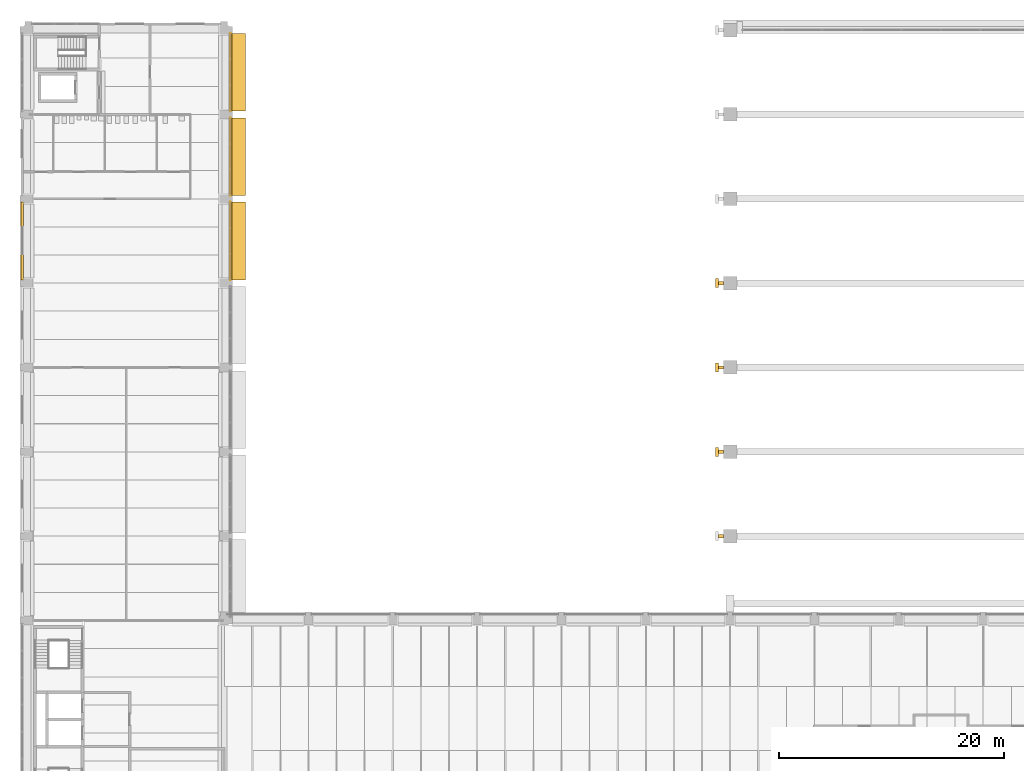
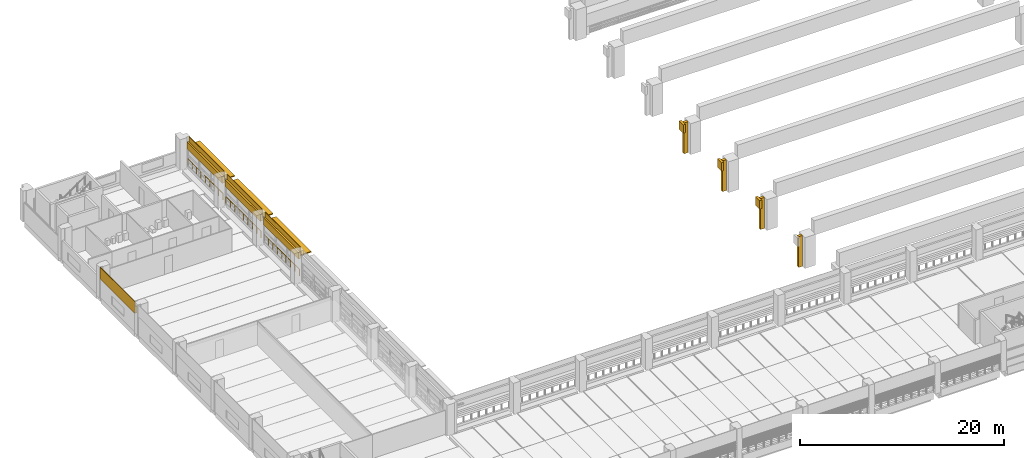
# One storey, part 48 of 61: 11 coverings, 3 railings, 3 shading devices.
"""IFC4 building model written with IfcOpenShell, lengths in metres."""

import ifcopenshell
import ifcopenshell.guid

model = None  # the IFC model being written
_history = None  # IfcOwnerHistory: only IFC2X3 demands one
_inside = {}  # id of a spatial element -> (the spatial element, [elements in it])
_under = {}  # id of a project, library or spatial element -> (it, [spatial elements below it])
_declared = {}  # id of a project -> (the project, [libraries it declares])
_typed = {}  # id of a type object -> (the type object, [elements of that type])
_made_of = {}  # id of a material, layer set ... -> (it, [elements and type objects made of it])


def new_model(schema):
    """Start an empty IFC model of exactly this schema.

    Asked for "IFC4X3", IfcOpenShell would pick the latest addendum, in which some entities
    have other attributes; the version numbers below select the first issue.
    IFC2X3 requires an IfcOwnerHistory on every rooted entity: one is made here for all.
    """
    global model, _history
    if schema == "IFC4X3":
        model = ifcopenshell.file(schema_version=(4, 3, 0, 0))
    else:
        model = ifcopenshell.file(schema=schema)
    _inside.clear()
    _under.clear()
    _declared.clear()
    _typed.clear()
    _made_of.clear()
    _history = None
    if model.schema == "IFC2X3":
        org = make("IfcOrganization", Name="unknown")
        user = make(
            "IfcPersonAndOrganization",
            ThePerson=make("IfcPerson", FamilyName="unknown"),
            TheOrganization=org,
        )
        app = make(
            "IfcApplication",
            ApplicationDeveloper=org,
            Version="unknown",
            ApplicationFullName="unknown",
            ApplicationIdentifier="unknown",
        )
        _history = make(
            "IfcOwnerHistory",
            OwningUser=user,
            OwningApplication=app,
            ChangeAction="ADDED",
            CreationDate=0,
        )
    return model


def make(cls, **values):
    """One entity of the class cls with the attributes given. An attribute that is None is left unset."""
    return model.create_entity(
        cls, **{name: value for name, value in values.items() if value is not None}
    )


def rooted(cls, **values):
    """An entity with a GlobalId (a new one), such as an element, a storey or a relation."""
    return make(cls, GlobalId=ifcopenshell.guid.new(), OwnerHistory=_history, **values)


def si_unit(unit_type, name, prefix=None):
    """IfcSIUnit, for example si_unit("LENGTHUNIT", "METRE", prefix="MILLI")."""
    return make("IfcSIUnit", UnitType=unit_type, Prefix=prefix, Name=name)


def assignment(units):
    """IfcUnitAssignment: the units of a project."""
    return None if units is None else make("IfcUnitAssignment", Units=units)


def point(xyz):
    """IfcCartesianPoint."""
    return None if xyz is None else make("IfcCartesianPoint", Coordinates=xyz)


def direction(xyz):
    """IfcDirection."""
    return None if xyz is None else make("IfcDirection", DirectionRatios=xyz)


def frame(location, z_axis=None, x_axis=None):
    """IfcAxis2Placement3D, a coordinate frame: its origin and axes. An axis left out is left unset."""
    return make(
        "IfcAxis2Placement3D",
        Location=point(location),
        Axis=direction(z_axis),
        RefDirection=direction(x_axis),
    )


def frame_2d(location, x_axis=None):
    """IfcAxis2Placement2D, a coordinate frame in the plane: its origin and x axis."""
    return make(
        "IfcAxis2Placement2D", Location=point(location), RefDirection=direction(x_axis)
    )


def origin():
    """The frame at (0, 0, 0) with its axes left unset."""
    return frame((0.0, 0.0, 0.0))


def origin_2d():
    """The frame at (0, 0) in the plane with its x axis left unset."""
    return frame_2d((0.0, 0.0))


def place(relative_to, where):
    """IfcLocalPlacement: puts the frame where relative to a parent placement (None: the world)."""
    return make(
        "IfcLocalPlacement", PlacementRelTo=relative_to, RelativePlacement=where
    )


def context(
    kind, dimensions, precision=None, world=None, true_north=None, identifier=None
):
    """IfcGeometricRepresentationContext, for example the 3D "Model" context."""
    return make(
        "IfcGeometricRepresentationContext",
        ContextIdentifier=identifier,
        ContextType=kind,
        CoordinateSpaceDimension=dimensions,
        Precision=precision,
        WorldCoordinateSystem=world,
        TrueNorth=true_north,
    )


def subcontext(parent, identifier, kind, view, scale=None):
    """IfcGeometricRepresentationSubContext, for example "Body" below "Model"."""
    return make(
        "IfcGeometricRepresentationSubContext",
        ContextIdentifier=identifier,
        ContextType=kind,
        ParentContext=parent,
        TargetScale=scale,
        TargetView=view,
    )


def project(units=None, contexts=None):
    """IfcProject with its units and contexts."""
    return rooted(
        "IfcProject",
        Name="project",
        RepresentationContexts=contexts,
        UnitsInContext=assignment(units),
    )


def spatial(cls, under=None, at=None, **own):
    """A site, building, storey or space (cls), placed at a placement, below another one or the project."""
    s = rooted(cls, ObjectPlacement=at, **own)
    if under is not None:
        _under.setdefault(under.id(), (under, []))[1].append(s)
    return s


def polyline(points):
    """IfcPolyline through the points."""
    return make("IfcPolyline", Points=[point(p) for p in points])


def profile(cls, at=None, kind="AREA", **sizes):
    """A parametric profile (cls). Its sizes go by their IFC names, for example OverallWidth=200.0."""
    return make(cls, ProfileType=kind, Position=at, **sizes)


def circle(**sizes):
    """IfcCircleProfileDef."""
    return profile("IfcCircleProfileDef", **sizes)


def outline(outer, holes=None, kind="AREA"):
    """IfcArbitraryClosedProfileDef: a profile drawn as a closed curve; with holes, ...WithVoids."""
    if holes is None:
        return make("IfcArbitraryClosedProfileDef", ProfileType=kind, OuterCurve=outer)
    return make(
        "IfcArbitraryProfileDefWithVoids",
        ProfileType=kind,
        OuterCurve=outer,
        InnerCurves=holes,
    )


def extrude(swept, where, along, depth):
    """IfcExtrudedAreaSolid: the profile swept, set in the frame where, extruded along a direction by depth."""
    return make(
        "IfcExtrudedAreaSolid",
        SweptArea=swept,
        Position=where,
        ExtrudedDirection=direction(along),
        Depth=depth,
    )


def shape(context_of_items, identifier, shape_type, items):
    """IfcShapeRepresentation: the items that make up one representation, for example the "Body"."""
    return make(
        "IfcShapeRepresentation",
        ContextOfItems=context_of_items,
        RepresentationIdentifier=identifier,
        RepresentationType=shape_type,
        Items=items,
    )


def material(Name=None, Category=None):
    """IfcMaterial."""
    return make("IfcMaterial", Name=Name, Category=Category)


def layer(
    of_material, thickness, ventilated=None, Name=None, Category=None, Priority=None
):
    """IfcMaterialLayer: one layer of a wall or slab, of a material (None: an air gap)."""
    return make(
        "IfcMaterialLayer",
        Material=of_material,
        LayerThickness=thickness,
        IsVentilated=ventilated,
        Name=Name,
        Category=Category,
        Priority=Priority,
    )


def layer_set(layers, Name=None):
    """IfcMaterialLayerSet."""
    return make("IfcMaterialLayerSet", MaterialLayers=layers, LayerSetName=Name)


def made_of(thing, what):
    """Note that an element or type object is made of a material, layer set ...; save() writes the relation."""
    if what is not None:
        _made_of.setdefault(what.id(), (what, []))[1].append(thing)
    return thing


def type_object(cls, material=None, **own):
    """A type object (cls), such as IfcWallType, which elements share."""
    return made_of(rooted(cls, **own), material)


def element(
    cls,
    number,
    at=None,
    inside=None,
    cuts=None,
    type_object=None,
    material=None,
    context=None,
    identifier="Body",
    shape_type=None,
    held_by="IfcProductDefinitionShape",
    body=None,
    shapes=None,
    **own,
):
    """One element of the class cls, such as IfcWall. Its Tag is "e" and its number.

    at: its placement. inside: the storey or other place that contains it. cuts: it is an
    opening in that element (IfcRelVoidsElement). A single representation is given by context,
    identifier, shape_type and body (its items); several are given by shapes. held_by: the class
    of the entity that holds the representations. save() writes the other relations.
    """
    e = rooted(cls, Tag="e%d" % number, ObjectPlacement=at, **own)
    if body is not None:
        shapes = [shape(context, identifier, shape_type, body)]
    if shapes is not None:
        e.Representation = make(held_by, Representations=shapes)
    if inside is not None:
        _inside.setdefault(inside.id(), (inside, []))[1].append(e)
    if cuts is not None:
        rooted(
            "IfcRelVoidsElement", RelatingBuildingElement=cuts, RelatedOpeningElement=e
        )
    if type_object is not None:
        _typed.setdefault(type_object.id(), (type_object, []))[1].append(e)
    return made_of(e, material)


def aggregate(whole, parts):
    """IfcRelAggregates: a whole, such as a stair, and the parts it consists of."""
    return rooted("IfcRelAggregates", RelatingObject=whole, RelatedObjects=parts)


def save(model, path):
    """Write the relations noted so far, then the file.

    IfcRelAggregates (storeys below a building ...), IfcRelContainedInSpatialStructure (elements
    in a storey), IfcRelDefinesByType, IfcRelAssociatesMaterial and IfcRelDeclares: one each for
    every whole, place, type object, material and project.
    """
    for whole, parts in _under.values():
        aggregate(whole, parts)
    for where, things in _inside.values():
        rooted(
            "IfcRelContainedInSpatialStructure",
            RelatedElements=things,
            RelatingStructure=where,
        )
    for kind, things in _typed.values():
        rooted("IfcRelDefinesByType", RelatedObjects=things, RelatingType=kind)
    for what, things in _made_of.values():
        rooted("IfcRelAssociatesMaterial", RelatedObjects=things, RelatingMaterial=what)
    for by, libraries in _declared.values():
        rooted("IfcRelDeclares", RelatingContext=by, RelatedDefinitions=libraries)
    model.write(path)


model = new_model("IFC4")

# Units and contexts
model_context = context("Model", 3, precision=1e-05, world=origin(), true_north=direction((0.0, 1.0)))
body_context = subcontext(model_context, "Body", "Model", "MODEL_VIEW")
ifc_project = project(units=[si_unit("LENGTHUNIT", "METRE"), si_unit("AREAUNIT", "SQUARE_METRE"), si_unit("VOLUMEUNIT", "CUBIC_METRE"), si_unit("PLANEANGLEUNIT", "RADIAN"), si_unit("MASSUNIT", "GRAM", prefix="KILO")], contexts=[model_context])

# Site, building, storey
site_placement = place(None, origin())
site = spatial("IfcSite", under=ifc_project, at=site_placement, CompositionType="ELEMENT")
building_placement = place(site_placement, origin())
building = spatial("IfcBuilding", under=site, at=building_placement, Name="Cour d'Honneur Mobility Palace", CompositionType="ELEMENT")
storey_placement = place(building_placement, frame((0.0, 0.0, 11.89990234375)))
storey = spatial("IfcBuildingStorey", under=building, at=storey_placement, Name="L03", CompositionType="ELEMENT", Elevation=11.89990234375)

# Railings
ifc_material_1 = material(Name="Painted steel", Category="steel")
railing_type = type_object("IfcRailingType", Name="Balustrade", PredefinedType="BALUSTRADE", material=ifc_material_1)
for number, where, name in (
    (1, (17.949951171875, 92.699951171875, 0.300048828125), "Balustrade BAL-191"),
    (2, (17.949951171875, 100.199951171875, 0.300048828125), "Balustrade BAL-192"),
    (3, (17.949951171875, 107.699951171875, 0.300048828125), "Balustrade BAL-193"),
):
    element("IfcRailing", number, at=place(storey_placement, frame(where)), inside=storey, type_object=railing_type, Name=name, PredefinedType="BALUSTRADE", context=body_context, shape_type="SweptSolid", body=[
        extrude(circle(Radius=0.02392578125, at=origin_2d()), frame((0.0, 0.0, 0.77587890625), z_axis=(0.0, 1.0, 0.0), x_axis=(-1.0, 0.0, 0.0)), (0.0, 0.0, 1.0), 6.900146484375),
        extrude(circle(Radius=0.02099609375, at=origin_2d()), origin(), (0.0, 0.0, 1.0), 0.751953125),
        extrude(circle(Radius=0.02099609375, at=origin_2d()), frame((0.0, 0.862548828125, 0.0)), (0.0, 0.0, 1.0), 0.751953125),
        extrude(circle(Radius=0.02099609375, at=origin_2d()), frame((0.0, 1.72509765625, 0.0)), (0.0, 0.0, 1.0), 0.751953125),
        extrude(circle(Radius=0.02099609375, at=origin_2d()), frame((0.0, 2.587646484375, 0.0)), (0.0, 0.0, 1.0), 0.751953125),
        extrude(circle(Radius=0.02099609375, at=origin_2d()), frame((0.0, 3.4501953125, 0.0)), (0.0, 0.0, 1.0), 0.751953125),
        extrude(circle(Radius=0.02099609375, at=origin_2d()), frame((0.0, 4.3125, 0.0)), (0.0, 0.0, 1.0), 0.751953125),
        extrude(circle(Radius=0.02099609375, at=origin_2d()), frame((0.0, 5.175048828125, 0.0)), (0.0, 0.0, 1.0), 0.751953125),
        extrude(circle(Radius=0.02099609375, at=origin_2d()), frame((0.0, 6.03759765625, 0.0)), (0.0, 0.0, 1.0), 0.751953125),
        extrude(circle(Radius=0.02099609375, at=origin_2d()), frame((0.0, 6.900146484375, 0.0)), (0.0, 0.0, 1.0), 0.751953125),
    ])

# Coverings
ifc_material_2 = material(Name="Cast limestone", Category="masonry")
ifc_layer_1 = layer(ifc_material_2, 0.300048828125)
ifc_layer_set_1 = layer_set([ifc_layer_1], Name="Cast limestone")
covering_type_1 = type_object("IfcCoveringType", Name="Pier fin", PredefinedType="CLADDING", material=ifc_layer_set_1)
covering_1_placement = place(storey_placement, origin())
element("IfcCovering", 4, at=covering_1_placement, inside=storey, type_object=covering_type_1, Name="Pier fin HP-W2 L03", PredefinedType="CLADDING", context=body_context, shape_type="SweptSolid", body=[
    extrude(outline(polyline([(61.35009765625, 69.75), (61.800048828125, 69.75), (61.800048828125, 70.050048828125), (61.35009765625, 70.050048828125), (61.35009765625, 69.75)])), origin(), (0.0, 0.0, 1.0), 3.7001953125),
])
covering_2_placement = place(storey_placement, origin())
element("IfcCovering", 5, at=covering_2_placement, inside=storey, type_object=covering_type_1, Name="Pier fin HP-W3 L03", PredefinedType="CLADDING", context=body_context, shape_type="SweptSolid", body=[
    extrude(outline(polyline([(61.35009765625, 77.25), (61.800048828125, 77.25), (61.800048828125, 77.550048828125), (61.35009765625, 77.550048828125), (61.35009765625, 77.25)])), origin(), (0.0, 0.0, 1.0), 3.7001953125),
])
covering_3_placement = place(storey_placement, origin())
element("IfcCovering", 6, at=covering_3_placement, inside=storey, type_object=covering_type_1, Name="Pier fin HP-W4 L03", PredefinedType="CLADDING", context=body_context, shape_type="SweptSolid", body=[
    extrude(outline(polyline([(61.35009765625, 84.75), (61.800048828125, 84.75), (61.800048828125, 85.050048828125), (61.35009765625, 85.050048828125), (61.35009765625, 84.75)])), origin(), (0.0, 0.0, 1.0), 3.7001953125),
])
covering_4_placement = place(storey_placement, origin())
element("IfcCovering", 7, at=covering_4_placement, inside=storey, type_object=covering_type_1, Name="Pier fin HP-W5 L03", PredefinedType="CLADDING", context=body_context, shape_type="SweptSolid", body=[
    extrude(outline(polyline([(61.35009765625, 92.25), (61.800048828125, 92.25), (61.800048828125, 92.550048828125), (61.35009765625, 92.550048828125), (61.35009765625, 92.25)])), origin(), (0.0, 0.0, 1.0), 3.7001953125),
])
ifc_material_3 = material(Name="Cast limestone", Category="masonry")
ifc_layer_2 = layer(ifc_material_3, 0.1201171875)
ifc_layer_set_2 = layer_set([ifc_layer_2], Name="Cast limestone")
covering_type_2 = type_object("IfcCoveringType", Name="Pilaster capital", PredefinedType="CLADDING", material=ifc_layer_set_2)
covering_5_placement = place(storey_placement, frame((0.0, 0.0, 2.7001953125)))
element("IfcCovering", 8, at=covering_5_placement, inside=storey, type_object=covering_type_2, Name="Hall pilaster capital HP-W3", PredefinedType="CLADDING", context=body_context, shape_type="SweptSolid", body=[
    extrude(outline(polyline([(61.10009765625, 77.0), (61.35009765625, 77.0), (61.35009765625, 77.800048828125), (61.10009765625, 77.800048828125), (61.10009765625, 77.0)])), origin(), (0.0, 0.0, 1.0), 1.0),
])
covering_6_placement = place(storey_placement, frame((0.0, 0.0, 2.7001953125)))
element("IfcCovering", 9, at=covering_6_placement, inside=storey, type_object=covering_type_2, Name="Hall pilaster capital HP-W4", PredefinedType="CLADDING", context=body_context, shape_type="SweptSolid", body=[
    extrude(outline(polyline([(61.10009765625, 84.5), (61.35009765625, 84.5), (61.35009765625, 85.300048828125), (61.10009765625, 85.300048828125), (61.10009765625, 84.5)])), origin(), (0.0, 0.0, 1.0), 1.0),
])
covering_7_placement = place(storey_placement, frame((0.0, 0.0, 2.7001953125)))
element("IfcCovering", 10, at=covering_7_placement, inside=storey, type_object=covering_type_2, Name="Hall pilaster capital HP-W5", PredefinedType="CLADDING", context=body_context, shape_type="SweptSolid", body=[
    extrude(outline(polyline([(61.10009765625, 92.0), (61.35009765625, 92.0), (61.35009765625, 92.800048828125), (61.10009765625, 92.800048828125), (61.10009765625, 92.0)])), origin(), (0.0, 0.0, 1.0), 1.0),
])
ifc_material_4 = material(Name="Cast limestone", Category="masonry")
ifc_layer_3 = layer(ifc_material_4, 0.25)
ifc_layer_set_3 = layer_set([ifc_layer_3], Name="Cast limestone")
covering_type_3 = type_object("IfcCoveringType", Name="Spandrel cladding", PredefinedType="CLADDING", material=ifc_layer_set_3)
for number, where, z_axis, x_axis, name in (
    (11, (17.85009765625, 92.699951171875, 2.300048828125), (0.0, -1.0, 0.0), (1.0, 0.0, 0.0), "Spandrel cladding SK-266"),
    (12, (17.85009765625, 100.199951171875, 2.300048828125), (0.0, -1.0, 0.0), (1.0, 0.0, 0.0), "Spandrel cladding SK-267"),
    (13, (17.85009765625, 107.699951171875, 2.300048828125), (0.0, -1.0, 0.0), (1.0, 0.0, 0.0), "Spandrel cladding SK-268"),
    (14, (-0.449951171875, 99.60009765625, 2.300048828125), (0.0, 1.0, 0.0), (-1.0, 0.0, 0.0), "Spandrel cladding SK-269"),
):
    element("IfcCovering", number, at=place(storey_placement, frame(where, z_axis=z_axis, x_axis=x_axis)), inside=storey, type_object=covering_type_3, Name=name, PredefinedType="CLADDING", context=body_context, shape_type="SweptSolid", body=[
        extrude(outline(polyline([(0.0, 0.0), (0.25, 0.0), (0.25, 1.400146484375), (0.199951171875, 1.400146484375), (0.199951171875, 0.800048828125), (0.0, 0.800048828125), (0.0, 0.0)])), origin(), (0.0, 0.0, -1.0), 6.89990234375),
    ])

# Shading devices
ifc_material_5 = material(Name="Anodised aluminium", Category="aluminium")
ifc_layer_4 = layer(ifc_material_5, 0.1201171875)
ifc_layer_set_4 = layer_set([ifc_layer_4], Name="Anodised aluminium")
shading_device_type = type_object("IfcShadingDeviceType", Name="Sunshade 1200", PredefinedType="AWNING", material=ifc_layer_set_4)
shading_device_1_placement = place(storey_placement, frame((0.0, 0.0, 2.630126953125)))
element("IfcShadingDevice", 15, at=shading_device_1_placement, inside=storey, type_object=shading_device_type, Name="Sunshade E9.4 L03", PredefinedType="AWNING", context=body_context, shape_type="SweptSolid", body=[
    extrude(outline(polyline([(18.10009765625, 92.699951171875), (18.10009765625, 99.60009765625), (19.300048828125, 99.60009765625), (19.300048828125, 92.699951171875), (18.10009765625, 92.699951171875)])), origin(), (0.0, 0.0, 1.0), 0.119873046875),
])
shading_device_2_placement = place(storey_placement, frame((0.0, 0.0, 2.630126953125)))
element("IfcShadingDevice", 16, at=shading_device_2_placement, inside=storey, type_object=shading_device_type, Name="Sunshade E9.5 L03", PredefinedType="AWNING", context=body_context, shape_type="SweptSolid", body=[
    extrude(outline(polyline([(18.10009765625, 100.199951171875), (18.10009765625, 107.10009765625), (19.300048828125, 107.10009765625), (19.300048828125, 100.199951171875), (18.10009765625, 100.199951171875)])), origin(), (0.0, 0.0, 1.0), 0.119873046875),
])
shading_device_3_placement = place(storey_placement, frame((0.0, 0.0, 2.630126953125)))
element("IfcShadingDevice", 17, at=shading_device_3_placement, inside=storey, type_object=shading_device_type, Name="Sunshade E9.6 L03", PredefinedType="AWNING", context=body_context, shape_type="SweptSolid", body=[
    extrude(outline(polyline([(18.10009765625, 107.699951171875), (18.10009765625, 114.60009765625), (19.300048828125, 114.60009765625), (19.300048828125, 107.699951171875), (18.10009765625, 107.699951171875)])), origin(), (0.0, 0.0, 1.0), 0.119873046875),
])

save(model, "model.ifc")
